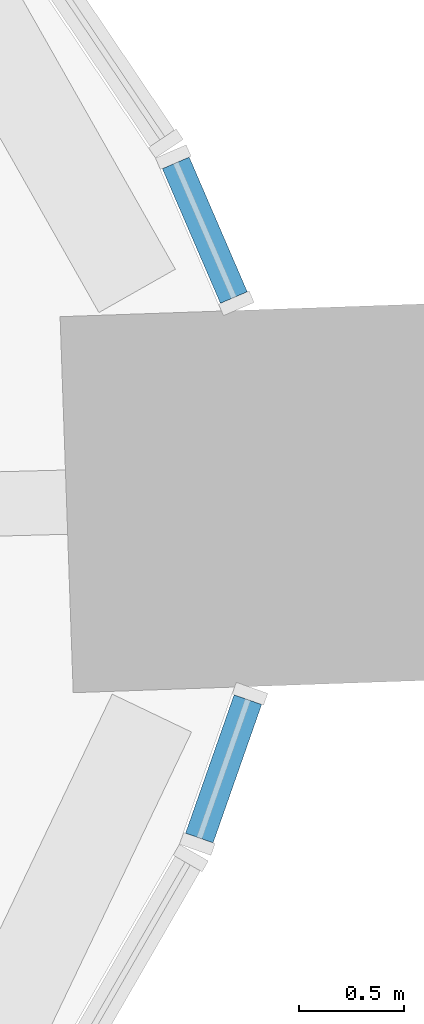
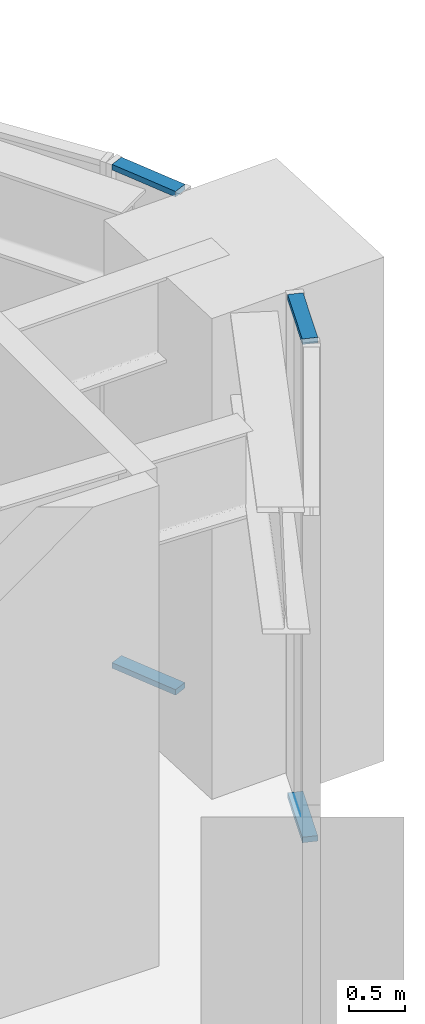
# One storey, part 12 of 25: 4 members, 2 elements without a shape of their own.
"""IFC4 building model written with IfcOpenShell, lengths in metres."""

from ifc_helpers import new_model, si_unit, direction, frame, origin, origin_2d, place, context, subcontext, project, spatial, rectangle, extrude, material, material_profile, profile_set, type_object, element, aggregate, save


model = new_model("IFC4")

# Units and contexts
model_context = context("Model", 3, precision=1e-05, world=origin(), true_north=direction((0.0, 1.0)))
body_context = subcontext(model_context, "Body", "Model", "MODEL_VIEW")
ifc_project = project(units=[si_unit("LENGTHUNIT", "METRE"), si_unit("AREAUNIT", "SQUARE_METRE"), si_unit("VOLUMEUNIT", "CUBIC_METRE"), si_unit("PLANEANGLEUNIT", "RADIAN"), si_unit("MASSUNIT", "GRAM", prefix="KILO")], contexts=[model_context])

# Site, building, storey
site_placement = place(None, origin())
site = spatial("IfcSite", under=ifc_project, at=site_placement, CompositionType="ELEMENT")
building_placement = place(site_placement, origin())
building = spatial("IfcBuilding", under=site, at=building_placement, Name="Tarnside Tower", CompositionType="ELEMENT")
storey_placement = place(building_placement, frame((0.0, 0.0, 26.0)))
storey = spatial("IfcBuildingStorey", under=building, at=storey_placement, Name="L04", CompositionType="ELEMENT", Elevation=26.0)

# Curtain wall, members
ifc_material_1 = material(Name="Retail shopfront glazing wall", Category="glass")
curtain_wall_type = type_object("IfcCurtainWallType", Name="Retail shopfront glazing wall", PredefinedType="NOTDEFINED", material=ifc_material_1)
curtain_wall_1_placement = place(storey_placement, origin())
curtain_wall_1 = element("IfcCurtainWall", 1, at=curtain_wall_1_placement, inside=storey, type_object=curtain_wall_type, Name="Retail shopfront glazing L04 18.1", PredefinedType="NOTDEFINED")
ifc_material_2 = material(Name="Aluminium alloy 6063", Category="aluminium")
ifc_material_profile = material_profile(ifc_material_2, rectangle(XDim=0.139892578125, YDim=0.06005859375, at=origin_2d()), Name="Retail shopfront glazing transom 60 x 140")
ifc_profile_set = profile_set([ifc_material_profile], Name="Aluminium alloy 6063")
member_type = type_object("IfcMemberType", Name="Retail shopfront glazing transom 60 x 140", PredefinedType="USERDEFINED", material=ifc_profile_set)
member_1_placement = place(storey_placement, frame((33.419921875, -0.449951171875, -0.219970703125), z_axis=(0.331017029232, 0.943624780492, 0.0), x_axis=(-0.943624780492, 0.331017029232, 0.0)))
member_1 = element("IfcMember", 2, at=member_1_placement, type_object=member_type, Name="CW2 transom 1.1", ObjectType="TRANSOM", PredefinedType="USERDEFINED", context=body_context, shape_type="SweptSolid", body=[
    extrude(rectangle(XDim=0.139892578125, YDim=0.06005859375, at=origin_2d()), origin(), (0.0, 0.0, 1.0), 0.701416015625),
])
member_2_placement = place(storey_placement, frame((33.419921875, -0.449951171875, 5.169921875), z_axis=(0.331017029232, 0.943624780492, 0.0), x_axis=(-0.943624780492, 0.331017029232, 0.0)))
member_2 = element("IfcMember", 3, at=member_2_placement, type_object=member_type, Name="CW2 transom 1.2", ObjectType="TRANSOM", PredefinedType="USERDEFINED", context=body_context, shape_type="SweptSolid", body=[
    extrude(rectangle(XDim=0.139892578125, YDim=0.06005859375, at=origin_2d()), origin(), (0.0, 0.0, 1.0), 0.701416015625),
])
aggregate(curtain_wall_1, [member_1, member_2])

curtain_wall_2_placement = place(storey_placement, origin())
curtain_wall_2 = element("IfcCurtainWall", 4, at=curtain_wall_2_placement, inside=storey, type_object=curtain_wall_type, Name="Retail shopfront glazing L04 19.0", PredefinedType="NOTDEFINED")
member_3_placement = place(storey_placement, frame((33.5849609375, 2.135986328125, -0.219970703125), z_axis=(-0.396102619684, 0.918206248443, 0.0), x_axis=(-0.918206248443, -0.396102619684, 0.0)))
member_3 = element("IfcMember", 5, at=member_3_placement, type_object=member_type, Name="CW2 transom 1.1", ObjectType="TRANSOM", PredefinedType="USERDEFINED", context=body_context, shape_type="SweptSolid", body=[
    extrude(rectangle(XDim=0.139892578125, YDim=0.06005859375, at=origin_2d()), origin(), (0.0, 0.0, 1.0), 0.701416015625),
])
member_4_placement = place(storey_placement, frame((33.5849609375, 2.135986328125, 5.169921875), z_axis=(-0.396102619684, 0.918206248443, 0.0), x_axis=(-0.918206248443, -0.396102619684, 0.0)))
member_4 = element("IfcMember", 6, at=member_4_placement, type_object=member_type, Name="CW2 transom 1.2", ObjectType="TRANSOM", PredefinedType="USERDEFINED", context=body_context, shape_type="SweptSolid", body=[
    extrude(rectangle(XDim=0.139892578125, YDim=0.06005859375, at=origin_2d()), origin(), (0.0, 0.0, 1.0), 0.701416015625),
])
aggregate(curtain_wall_2, [member_3, member_4])

save(model, "model.ifc")
